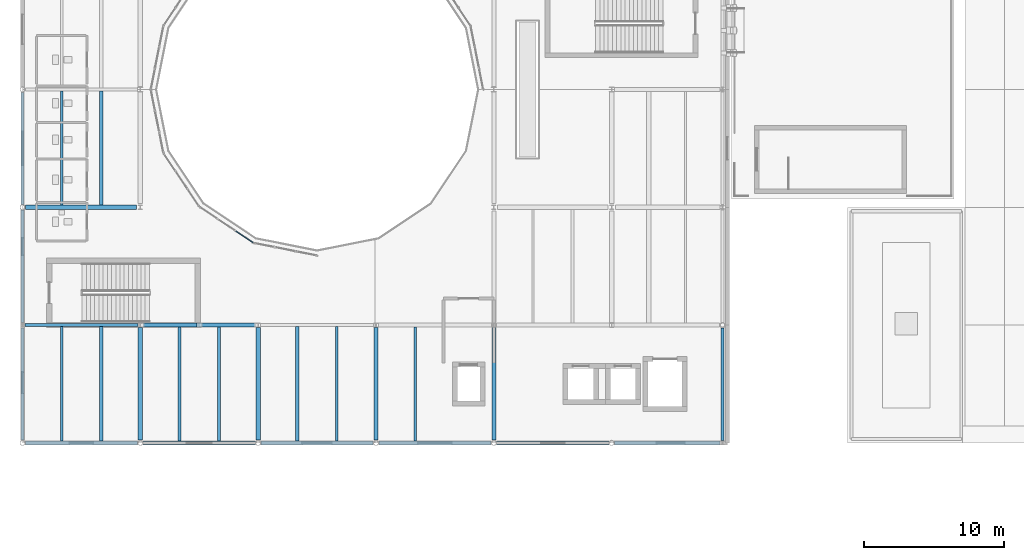
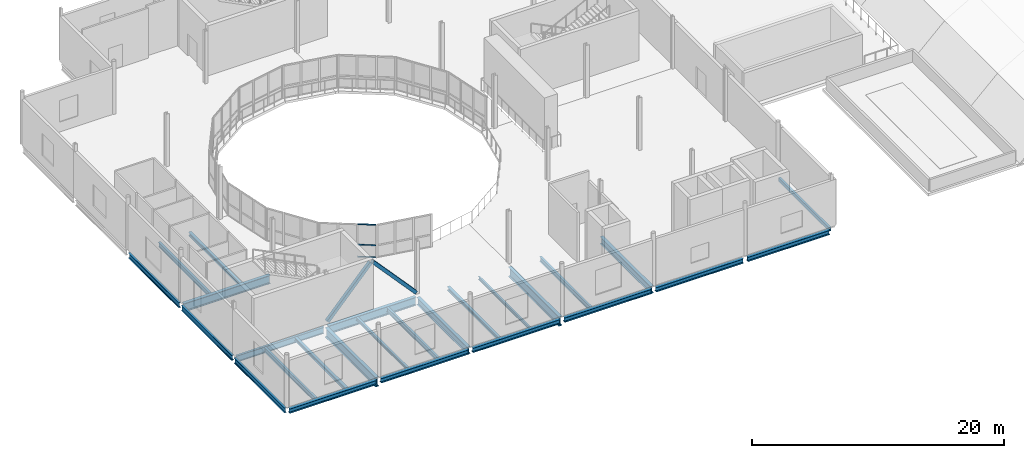
# One storey, part 15 of 91: 26 beams, 5 members, 1 element without a shape of its own.
"""IFC4 building model written with IfcOpenShell, lengths in metres."""

from ifc_helpers import new_model, si_unit, direction, frame, origin, origin_2d, place, context, subcontext, project, spatial, hollow_rectangle, i_section, extrude, material, layer, layer_set, material_profile, profile_set, type_object, element, aggregate, save


model = new_model("IFC4")

# Units and contexts
model_context = context("Model", 3, precision=1e-05, world=origin(), true_north=direction((0.0, 1.0)))
body_context = subcontext(model_context, "Body", "Model", "MODEL_VIEW")
ifc_project = project(units=[si_unit("LENGTHUNIT", "METRE"), si_unit("AREAUNIT", "SQUARE_METRE"), si_unit("VOLUMEUNIT", "CUBIC_METRE"), si_unit("PLANEANGLEUNIT", "RADIAN"), si_unit("MASSUNIT", "GRAM", prefix="KILO"), si_unit("THERMODYNAMICTEMPERATUREUNIT", "KELVIN")], contexts=[model_context])

# Site, building, storey
site_placement = place(None, origin())
site = spatial("IfcSite", under=ifc_project, at=site_placement, CompositionType="ELEMENT")
building_placement = place(site_placement, origin())
building = spatial("IfcBuilding", under=site, at=building_placement, Name="Lustrewick Department Store", CompositionType="ELEMENT")
storey_placement = place(building_placement, frame((0.0, 0.0, 21.60009765625)))
storey = spatial("IfcBuildingStorey", under=building, at=storey_placement, Name="L05", CompositionType="ELEMENT", Elevation=21.60009765625)

# Beams
ifc_material_1 = material(Name="Structural steel Q355B", Category="steel")
ifc_material_profile_1 = material_profile(ifc_material_1, i_section(OverallWidth=0.199951171875, OverallDepth=0.449951171875, WebThickness=0.009033203125, FlangeThickness=0.013916015625, FilletRadius=0.01611328125, at=origin_2d()), Name="HN 450x200x9x14")
ifc_profile_set_1 = profile_set([ifc_material_profile_1], Name="Structural steel Q355B")
beam_type_1 = type_object("IfcBeamType", Name="B03", PredefinedType="JOIST", material=ifc_profile_set_1)
for number, where, z_axis, x_axis, name in (
    (1, (22.39990234375, 42.14990234375, -0.47998046875), (0.0, 1.0, 0.0), (-1.0, 0.0, 0.0), "L05 V1 Secondary Joist B03"),
    (2, (36.39990234375, 42.14990234375, -0.47998046875), (0.0, 1.0, 0.0), (-1.0, 0.0, 0.0), "L05 V1 Secondary Joist B03"),
):
    element("IfcBeam", number, at=place(storey_placement, frame(where, z_axis=z_axis, x_axis=x_axis)), inside=storey, type_object=beam_type_1, Name=name, PredefinedType="JOIST", context=body_context, shape_type="SweptSolid", body=[
        extrude(i_section(OverallWidth=0.199951171875, OverallDepth=0.449951171875, WebThickness=0.009033203125, FlangeThickness=0.013916015625, FilletRadius=0.01611328125, at=origin_2d()), origin(), (0.0, 0.0, 1.0), 8.09912109375),
    ])
ifc_material_profile_2 = material_profile(ifc_material_1, i_section(OverallWidth=0.198974609375, OverallDepth=0.446044921875, WebThickness=0.008056640625, FlangeThickness=0.011962890625, FilletRadius=0.01611328125, at=origin_2d()), Name="HN 446x199x8x12")
ifc_profile_set_2 = profile_set([ifc_material_profile_2], Name="Structural steel Q355B")
beam_type_2 = type_object("IfcBeamType", Name="B04", PredefinedType="JOIST", material=ifc_profile_set_2)
beam_1_placement = place(storey_placement, frame((11.199951171875, 42.14990234375, -0.47802734375), z_axis=(0.0, 1.0, 0.0), x_axis=(-1.0, 0.0, 0.0)))
element("IfcBeam", 3, at=beam_1_placement, inside=storey, type_object=beam_type_2, Name="L05 V1 Secondary Joist B04", PredefinedType="JOIST", context=body_context, shape_type="SweptSolid", body=[
    extrude(i_section(OverallWidth=0.198974609375, OverallDepth=0.446044921875, WebThickness=0.008056640625, FlangeThickness=0.011962890625, FilletRadius=0.01611328125, at=origin_2d()), origin(), (0.0, 0.0, 1.0), 8.149658203125),
])
beam_2_placement = place(storey_placement, frame((11.199951171875, 58.950927734375, -0.47802734375), z_axis=(0.0, 1.0, 0.0), x_axis=(-1.0, 0.0, 0.0)))
element("IfcBeam", 4, at=beam_2_placement, inside=storey, type_object=beam_type_2, Name="L05 V1 Secondary Joist B04", PredefinedType="JOIST", context=body_context, shape_type="SweptSolid", body=[
    extrude(i_section(OverallWidth=0.198974609375, OverallDepth=0.446044921875, WebThickness=0.008056640625, FlangeThickness=0.011962890625, FilletRadius=0.01611328125, at=origin_2d()), origin(), (0.0, 0.0, 1.0), 8.148681640625),
])
ifc_material_profile_3 = material_profile(ifc_material_1, i_section(OverallWidth=0.25, OverallDepth=0.340087890625, WebThickness=0.009033203125, FlangeThickness=0.013916015625, FilletRadius=0.01611328125, at=origin_2d()), Name="HM 340x250x9x14")
ifc_profile_set_3 = profile_set([ifc_material_profile_3], Name="Structural steel Q355B")
beam_type_3 = type_object("IfcBeamType", Name="B08", PredefinedType="JOIST", material=ifc_profile_set_3)
for number, where, z_axis, x_axis, name in (
    (5, (14.0, 42.14990234375, -0.425048828125), (0.0, 1.0, 0.0), (-1.0, 0.0, 0.0), "L05 V1 Secondary Joist B08"),
    (6, (28.0, 42.14990234375, -0.425048828125), (0.0, 1.0, 0.0), (-1.0, 0.0, 0.0), "L05 V1 Secondary Joist B08"),
):
    element("IfcBeam", number, at=place(storey_placement, frame(where, z_axis=z_axis, x_axis=x_axis)), inside=storey, type_object=beam_type_3, Name=name, PredefinedType="JOIST", context=body_context, shape_type="SweptSolid", body=[
        extrude(i_section(OverallWidth=0.25, OverallDepth=0.340087890625, WebThickness=0.009033203125, FlangeThickness=0.013916015625, FilletRadius=0.01611328125, at=origin_2d()), origin(), (0.0, 0.0, 1.0), 8.149658203125),
    ])
beam_3_placement = place(storey_placement, frame((14.0, 58.950927734375, -0.425048828125), z_axis=(0.0, 1.0, 0.0), x_axis=(-1.0, 0.0, 0.0)))
element("IfcBeam", 7, at=beam_3_placement, inside=storey, type_object=beam_type_3, Name="L05 V1 Secondary Joist B08", PredefinedType="JOIST", context=body_context, shape_type="SweptSolid", body=[
    extrude(i_section(OverallWidth=0.25, OverallDepth=0.340087890625, WebThickness=0.009033203125, FlangeThickness=0.013916015625, FilletRadius=0.01611328125, at=origin_2d()), origin(), (0.0, 0.0, 1.0), 8.148681640625),
])
ifc_material_profile_4 = material_profile(ifc_material_1, i_section(OverallWidth=0.14892578125, OverallDepth=0.298095703125, WebThickness=0.005615234375, FlangeThickness=0.008056640625, FilletRadius=0.011962890625, at=origin_2d()), Name="HN 298x149x5.5x8")
ifc_profile_set_4 = profile_set([ifc_material_profile_4], Name="Structural steel Q355B")
beam_type_4 = type_object("IfcBeamType", Name="B12", PredefinedType="JOIST", material=ifc_profile_set_4)
beam_4_placement = place(storey_placement, frame((30.800048828125, 42.14990234375, -0.404052734375), z_axis=(0.0, 1.0, 0.0), x_axis=(-1.0, 0.0, 0.0)))
element("IfcBeam", 8, at=beam_4_placement, inside=storey, type_object=beam_type_4, Name="L05 V1 Secondary Joist B12", PredefinedType="JOIST", context=body_context, shape_type="SweptSolid", body=[
    extrude(i_section(OverallWidth=0.14892578125, OverallDepth=0.298095703125, WebThickness=0.005615234375, FlangeThickness=0.008056640625, FilletRadius=0.011962890625, at=origin_2d()), origin(), (0.0, 0.0, 1.0), 8.149658203125),
])
ifc_material_profile_5 = material_profile(ifc_material_1, i_section(OverallWidth=0.199951171875, OverallDepth=0.2939453125, WebThickness=0.008056640625, FlangeThickness=0.011962890625, FilletRadius=0.013916015625, at=origin_2d()), Name="HM 294x200x8x12")
ifc_profile_set_5 = profile_set([ifc_material_profile_5], Name="Structural steel Q355B")
beam_type_5 = type_object("IfcBeamType", Name="B13", PredefinedType="JOIST", material=ifc_profile_set_5)
beam_5_placement = place(storey_placement, frame((19.60009765625, 42.14990234375, -0.402099609375), z_axis=(0.0, 1.0, 0.0), x_axis=(-1.0, 0.0, 0.0)))
element("IfcBeam", 9, at=beam_5_placement, inside=storey, type_object=beam_type_5, Name="L05 V1 Secondary Joist B13", PredefinedType="JOIST", context=body_context, shape_type="SweptSolid", body=[
    extrude(i_section(OverallWidth=0.199951171875, OverallDepth=0.2939453125, WebThickness=0.008056640625, FlangeThickness=0.011962890625, FilletRadius=0.013916015625, at=origin_2d()), origin(), (0.0, 0.0, 1.0), 8.09912109375),
])

# Members
ifc_material_2 = material(Name="Structural steel Q355C", Category="steel")
ifc_material_profile_6 = material_profile(ifc_material_2, hollow_rectangle(XDim=0.300048828125, YDim=0.300048828125, WallThickness=0.011962890625, at=origin_2d()), Name="SHS 300x300x12")
ifc_profile_set_6 = profile_set([ifc_material_profile_6], Name="Structural steel Q355C")
member_type_1 = type_object("IfcMemberType", Name="BR06", PredefinedType="BRACE", material=ifc_profile_set_6)
for number, where, z_axis, x_axis, name in (
    (10, (16.949951171875, 50.39990234375, 0.14990234375), (0.672670724561, 0.0, 0.739941954695), (0.0, 1.0, 0.0), "L05 V1 Chevron Brace BR06"),
    (11, (25.050048828125, 50.39990234375, 0.14990234375), (-0.672670724561, 0.0, 0.739941954695), (0.0, -1.0, 0.0), "L05 V1 Chevron Brace BR06"),
):
    element("IfcMember", number, at=place(storey_placement, frame(where, z_axis=z_axis, x_axis=x_axis)), inside=storey, type_object=member_type_1, Name=name, PredefinedType="BRACE", context=body_context, shape_type="SweptSolid", body=[
        extrude(hollow_rectangle(XDim=0.300048828125, YDim=0.300048828125, WallThickness=0.011962890625, at=origin_2d()), origin(), (0.0, 0.0, 1.0), 5.8720703125),
    ])

# Curtain wall, members
ifc_material_3 = material(Name="Thermally broken aluminium 6063-T5", Category="aluminium")
ifc_layer = layer(ifc_material_3, 0.14990234375, Name="Thermally broken aluminium 6063-T5")
ifc_layer_set = layer_set([ifc_layer], Name="Thermally broken aluminium 6063-T5")
curtain_wall_type = type_object("IfcCurtainWallType", Name="CW18", PredefinedType="NOTDEFINED", material=ifc_layer_set)
curtain_wall_placement = place(storey_placement, origin())
curtain_wall = element("IfcCurtainWall", 12, at=curtain_wall_placement, inside=storey, type_object=curtain_wall_type, Name="L05 Atrium Glazed Screen CW18", PredefinedType="NOTDEFINED")
ifc_material_profile_7 = material_profile(ifc_material_3, hollow_rectangle(XDim=0.06005859375, YDim=0.110107421875, WallThickness=0.0029296875, at=origin_2d()), Name="ALU-T 60x110x3")
ifc_profile_set_7 = profile_set([ifc_material_profile_7], Name="Thermally broken aluminium 6063-T5")
member_type_2 = type_object("IfcMemberType", Name="CW18-T1", PredefinedType="USERDEFINED", material=ifc_profile_set_7)
member_1_placement = place(storey_placement, frame((23.608642578125, 57.091552734375, 0.02978515625), z_axis=(0.831532319099, -0.555476374199, 0.0), x_axis=(0.555476374199, 0.831532319099, 0.0)))
member_1 = element("IfcMember", 13, at=member_1_placement, type_object=member_type_2, Name="CW18 transom 3.1", ObjectType="TRANSOM", PredefinedType="USERDEFINED", context=body_context, shape_type="SweptSolid", body=[
    extrude(hollow_rectangle(XDim=0.06005859375, YDim=0.110107421875, WallThickness=0.0029296875, at=origin_2d()), origin(), (0.0, 0.0, 1.0), 1.451171875),
])
member_2_placement = place(storey_placement, frame((23.608642578125, 57.091552734375, 1.199951171875), z_axis=(0.831532319099, -0.555476374199, 0.0), x_axis=(0.555476374199, 0.831532319099, 0.0)))
member_2 = element("IfcMember", 14, at=member_2_placement, type_object=member_type_2, Name="CW18 transom 3.2", ObjectType="TRANSOM", PredefinedType="USERDEFINED", context=body_context, shape_type="SweptSolid", body=[
    extrude(hollow_rectangle(XDim=0.06005859375, YDim=0.110107421875, WallThickness=0.0029296875, at=origin_2d()), origin(), (0.0, 0.0, 1.0), 1.451171875),
])
member_3_placement = place(storey_placement, frame((23.608642578125, 57.091552734375, 3.169921875), z_axis=(0.831532319099, -0.555476374199, 0.0), x_axis=(0.555476374199, 0.831532319099, 0.0)))
member_3 = element("IfcMember", 15, at=member_3_placement, type_object=member_type_2, Name="CW18 transom 3.3", ObjectType="TRANSOM", PredefinedType="USERDEFINED", context=body_context, shape_type="SweptSolid", body=[
    extrude(hollow_rectangle(XDim=0.06005859375, YDim=0.110107421875, WallThickness=0.0029296875, at=origin_2d()), origin(), (0.0, 0.0, 1.0), 1.451171875),
])
aggregate(curtain_wall, [member_1, member_2, member_3])

# Beams
ifc_material_profile_8 = material_profile(ifc_material_2, i_section(OverallWidth=0.302001953125, OverallDepth=0.912109375, WebThickness=0.01806640625, FlangeThickness=0.033935546875, FilletRadius=0.02392578125, at=origin_2d()), Name="HN 912x302x18x34")
ifc_profile_set_8 = profile_set([ifc_material_profile_8], Name="Structural steel Q355C")
beam_type_6 = type_object("IfcBeamType", Name="G01", PredefinedType="BEAM", material=ifc_profile_set_8)
for number, where, z_axis, x_axis, name in (
    (16, (16.800048828125, 42.202880859375, -0.711181640625), (0.0, 1.0, 0.0), (-1.0, 0.0, 0.0), "L05 V1 Girder G01"),
    (17, (33.60009765625, 42.202880859375, -0.711181640625), (0.0, 1.0, 0.0), (-1.0, 0.0, 0.0), "L05 V1 Girder G01"),
):
    element("IfcBeam", number, at=place(storey_placement, frame(where, z_axis=z_axis, x_axis=x_axis)), inside=storey, type_object=beam_type_6, Name=name, PredefinedType="BEAM", context=body_context, shape_type="SweptSolid", body=[
        extrude(i_section(OverallWidth=0.302001953125, OverallDepth=0.912109375, WebThickness=0.01806640625, FlangeThickness=0.033935546875, FilletRadius=0.02392578125, at=origin_2d()), origin(), (0.0, 0.0, 1.0), 8.022216796875),
    ])
ifc_material_profile_9 = material_profile(ifc_material_2, i_section(OverallWidth=0.302001953125, OverallDepth=0.80810546875, WebThickness=0.01611328125, FlangeThickness=0.030029296875, FilletRadius=0.02197265625, at=origin_2d()), Name="HN 808x302x16x30")
ifc_profile_set_9 = profile_set([ifc_material_profile_9], Name="Structural steel Q355C")
beam_type_7 = type_object("IfcBeamType", Name="G04", PredefinedType="BEAM", material=ifc_profile_set_9)
beam_6_placement = place(storey_placement, frame((16.97509765625, 50.39990234375, -0.6591796875), z_axis=(1.0, 0.0, 0.0), x_axis=(0.0, 1.0, 0.0)))
element("IfcBeam", 18, at=beam_6_placement, inside=storey, type_object=beam_type_7, Name="L05 V1 Girder G04", PredefinedType="BEAM", context=body_context, shape_type="SweptSolid", body=[
    extrude(i_section(OverallWidth=0.302001953125, OverallDepth=0.80810546875, WebThickness=0.01611328125, FlangeThickness=0.030029296875, FilletRadius=0.02197265625, at=origin_2d()), origin(), (0.0, 0.0, 1.0), 8.0498046875),
])
beam_7_placement = place(storey_placement, frame((8.60302734375, 58.800048828125, -0.6591796875), z_axis=(1.0, 0.0, 0.0), x_axis=(0.0, 1.0, 0.0)))
element("IfcBeam", 19, at=beam_7_placement, inside=storey, type_object=beam_type_7, Name="L05 V1 Girder G04", PredefinedType="BEAM", context=body_context, shape_type="SweptSolid", body=[
    extrude(i_section(OverallWidth=0.302001953125, OverallDepth=0.80810546875, WebThickness=0.01611328125, FlangeThickness=0.030029296875, FilletRadius=0.02197265625, at=origin_2d()), origin(), (0.0, 0.0, 1.0), 7.921875),
])
ifc_material_profile_10 = material_profile(ifc_material_1, i_section(OverallWidth=0.300048828125, OverallDepth=0.69189453125, WebThickness=0.012939453125, FlangeThickness=0.02001953125, FilletRadius=0.02001953125, at=origin_2d()), Name="HN 692x300x13x20")
ifc_profile_set_10 = profile_set([ifc_material_profile_10], Name="Structural steel Q355B")
beam_type_8 = type_object("IfcBeamType", Name="G09", PredefinedType="BEAM", material=ifc_profile_set_10)
for number, where, z_axis, x_axis, name in (
    (20, (25.199951171875, 42.202880859375, -0.60107421875), (0.0, 1.0, 0.0), (-1.0, 0.0, 0.0), "L05 V1 Girder G09"),
    (21, (42.0, 42.202880859375, -0.60107421875), (0.0, 1.0, 0.0), (-1.0, 0.0, 0.0), "L05 V1 Girder G09"),
):
    element("IfcBeam", number, at=place(storey_placement, frame(where, z_axis=z_axis, x_axis=x_axis)), inside=storey, type_object=beam_type_8, Name=name, PredefinedType="BEAM", context=body_context, shape_type="SweptSolid", body=[
        extrude(i_section(OverallWidth=0.300048828125, OverallDepth=0.69189453125, WebThickness=0.012939453125, FlangeThickness=0.02001953125, FilletRadius=0.02001953125, at=origin_2d()), origin(), (0.0, 0.0, 1.0), 8.022216796875),
    ])
ifc_material_profile_11 = material_profile(ifc_material_1, i_section(OverallWidth=0.200927734375, OverallDepth=0.60595703125, WebThickness=0.011962890625, FlangeThickness=0.02001953125, FilletRadius=0.01806640625, at=origin_2d()), Name="HN 606x201x12x20")
ifc_profile_set_11 = profile_set([ifc_material_profile_11], Name="Structural steel Q355B")
beam_type_9 = type_object("IfcBeamType", Name="G13", PredefinedType="BEAM", material=ifc_profile_set_11)
beam_8_placement = place(storey_placement, frame((8.58837890625, 50.39990234375, -0.55810546875), z_axis=(1.0, 0.0, 0.0), x_axis=(0.0, 1.0, 0.0)))
element("IfcBeam", 22, at=beam_8_placement, inside=storey, type_object=beam_type_9, Name="L05 V1 Girder G13", PredefinedType="BEAM", context=body_context, shape_type="SweptSolid", body=[
    extrude(i_section(OverallWidth=0.200927734375, OverallDepth=0.60595703125, WebThickness=0.011962890625, FlangeThickness=0.02001953125, FilletRadius=0.01806640625, at=origin_2d()), origin(), (0.0, 0.0, 1.0), 8.03662109375),
])
ifc_material_profile_12 = material_profile(ifc_material_1, i_section(OverallWidth=0.200927734375, OverallDepth=0.506103515625, WebThickness=0.010986328125, FlangeThickness=0.01904296875, FilletRadius=0.01611328125, at=origin_2d()), Name="HN 506x201x11x19")
ifc_profile_set_12 = profile_set([ifc_material_profile_12], Name="Structural steel Q355B")
beam_type_10 = type_object("IfcBeamType", Name="SP01", PredefinedType="SPANDREL", material=ifc_profile_set_12)
for number, where, z_axis, x_axis, name in (
    (23, (8.39990234375, 42.202880859375, -0.508056640625), (0.0, 1.0, 0.0), (-1.0, 0.0, 0.0), "L05 V1 Girder SP01"),
    (24, (8.39990234375, 50.58837890625, -0.508056640625), (0.0, 1.0, 0.0), (-1.0, 0.0, 0.0), "L05 V1 Girder SP01"),
):
    element("IfcBeam", number, at=place(storey_placement, frame(where, z_axis=z_axis, x_axis=x_axis)), inside=storey, type_object=beam_type_10, Name=name, PredefinedType="SPANDREL", context=body_context, shape_type="SweptSolid", body=[
        extrude(i_section(OverallWidth=0.200927734375, OverallDepth=0.506103515625, WebThickness=0.010986328125, FlangeThickness=0.01904296875, FilletRadius=0.01611328125, at=origin_2d()), origin(), (0.0, 0.0, 1.0), 8.008544921875),
    ])
beam_9_placement = place(storey_placement, frame((8.39990234375, 59.0029296875, -0.508056640625), z_axis=(0.0, 1.0, 0.0), x_axis=(-1.0, 0.0, 0.0)))
element("IfcBeam", 25, at=beam_9_placement, inside=storey, type_object=beam_type_10, Name="L05 V1 Girder SP01", PredefinedType="SPANDREL", context=body_context, shape_type="SweptSolid", body=[
    extrude(i_section(OverallWidth=0.200927734375, OverallDepth=0.506103515625, WebThickness=0.010986328125, FlangeThickness=0.01904296875, FilletRadius=0.01611328125, at=origin_2d()), origin(), (0.0, 0.0, 1.0), 7.994140625),
])
ifc_material_profile_13 = material_profile(ifc_material_1, i_section(OverallWidth=0.300048828125, OverallDepth=0.43994140625, WebThickness=0.010986328125, FlangeThickness=0.01806640625, FilletRadius=0.02001953125, at=origin_2d()), Name="HM 440x300x11x18")
ifc_profile_set_13 = profile_set([ifc_material_profile_13], Name="Structural steel Q355B")
beam_type_11 = type_object("IfcBeamType", Name="SP02", PredefinedType="SPANDREL", material=ifc_profile_set_13)
beam_10_placement = place(storey_placement, frame((8.60302734375, 42.0, -0.47509765625), z_axis=(1.0, 0.0, 0.0), x_axis=(0.0, 1.0, 0.0)))
element("IfcBeam", 26, at=beam_10_placement, inside=storey, type_object=beam_type_11, Name="L05 V1 Girder SP02", PredefinedType="SPANDREL", context=body_context, shape_type="SweptSolid", body=[
    extrude(i_section(OverallWidth=0.300048828125, OverallDepth=0.43994140625, WebThickness=0.010986328125, FlangeThickness=0.01806640625, FilletRadius=0.02001953125, at=origin_2d()), origin(), (0.0, 0.0, 1.0), 7.993896484375),
])
beam_11_placement = place(storey_placement, frame((17.0029296875, 42.0, -0.47509765625), z_axis=(1.0, 0.0, 0.0), x_axis=(0.0, 1.0, 0.0)))
element("IfcBeam", 27, at=beam_11_placement, inside=storey, type_object=beam_type_11, Name="L05 V1 Girder SP02", PredefinedType="SPANDREL", context=body_context, shape_type="SweptSolid", body=[
    extrude(i_section(OverallWidth=0.300048828125, OverallDepth=0.43994140625, WebThickness=0.010986328125, FlangeThickness=0.01806640625, FilletRadius=0.02001953125, at=origin_2d()), origin(), (0.0, 0.0, 1.0), 7.994140625),
])
beam_12_placement = place(storey_placement, frame((25.403076171875, 42.0, -0.47509765625), z_axis=(1.0, 0.0, 0.0), x_axis=(0.0, 1.0, 0.0)))
element("IfcBeam", 28, at=beam_12_placement, inside=storey, type_object=beam_type_11, Name="L05 V1 Girder SP02", PredefinedType="SPANDREL", context=body_context, shape_type="SweptSolid", body=[
    extrude(i_section(OverallWidth=0.300048828125, OverallDepth=0.43994140625, WebThickness=0.010986328125, FlangeThickness=0.01806640625, FilletRadius=0.02001953125, at=origin_2d()), origin(), (0.0, 0.0, 1.0), 7.993896484375),
])
for number, where, z_axis, x_axis, name in (
    (29, (33.802978515625, 42.0, -0.47509765625), (1.0, 0.0, 0.0), (0.0, 1.0, 0.0), "L05 V1 Girder SP02"),
    (30, (42.202880859375, 42.0, -0.47509765625), (1.0, 0.0, 0.0), (0.0, 1.0, 0.0), "L05 V1 Girder SP02"),
):
    element("IfcBeam", number, at=place(storey_placement, frame(where, z_axis=z_axis, x_axis=x_axis)), inside=storey, type_object=beam_type_11, Name=name, PredefinedType="SPANDREL", context=body_context, shape_type="SweptSolid", body=[
        extrude(i_section(OverallWidth=0.300048828125, OverallDepth=0.43994140625, WebThickness=0.010986328125, FlangeThickness=0.01806640625, FilletRadius=0.02001953125, at=origin_2d()), origin(), (0.0, 0.0, 1.0), 7.994140625),
    ])
beam_13_placement = place(storey_placement, frame((50.60302734375, 42.0, -0.47509765625), z_axis=(1.0, 0.0, 0.0), x_axis=(0.0, 1.0, 0.0)))
element("IfcBeam", 31, at=beam_13_placement, inside=storey, type_object=beam_type_11, Name="L05 V1 Girder SP02", PredefinedType="SPANDREL", context=body_context, shape_type="SweptSolid", body=[
    extrude(i_section(OverallWidth=0.300048828125, OverallDepth=0.43994140625, WebThickness=0.010986328125, FlangeThickness=0.01806640625, FilletRadius=0.02001953125, at=origin_2d()), origin(), (0.0, 0.0, 1.0), 7.508544921875),
])
ifc_material_profile_14 = material_profile(ifc_material_2, hollow_rectangle(XDim=0.199951171875, YDim=0.35009765625, WallThickness=0.011962890625, at=origin_2d()), Name="RHS 350x200x12")
ifc_profile_set_14 = profile_set([ifc_material_profile_14], Name="Structural steel Q355C")
beam_type_12 = type_object("IfcBeamType", Name="SP03", PredefinedType="SPANDREL", material=ifc_profile_set_14)
beam_14_placement = place(storey_placement, frame((58.300048828125, 42.1884765625, -0.43017578125), z_axis=(0.0, 1.0, 0.0), x_axis=(-1.0, 0.0, 0.0)))
element("IfcBeam", 32, at=beam_14_placement, inside=storey, type_object=beam_type_12, Name="L05 V1 Girder SP03", PredefinedType="SPANDREL", context=body_context, shape_type="SweptSolid", body=[
    extrude(hollow_rectangle(XDim=0.199951171875, YDim=0.35009765625, WallThickness=0.011962890625, at=origin_2d()), origin(), (0.0, 0.0, 1.0), 8.008544921875),
])

save(model, "model.ifc")
